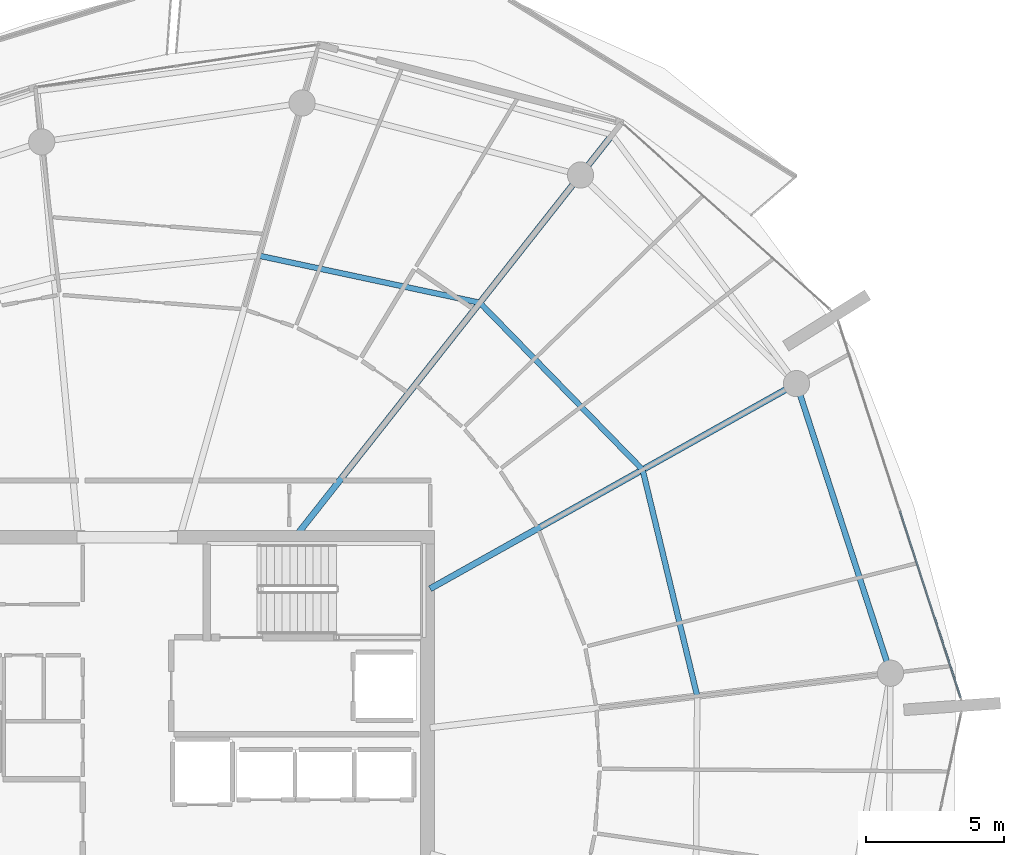
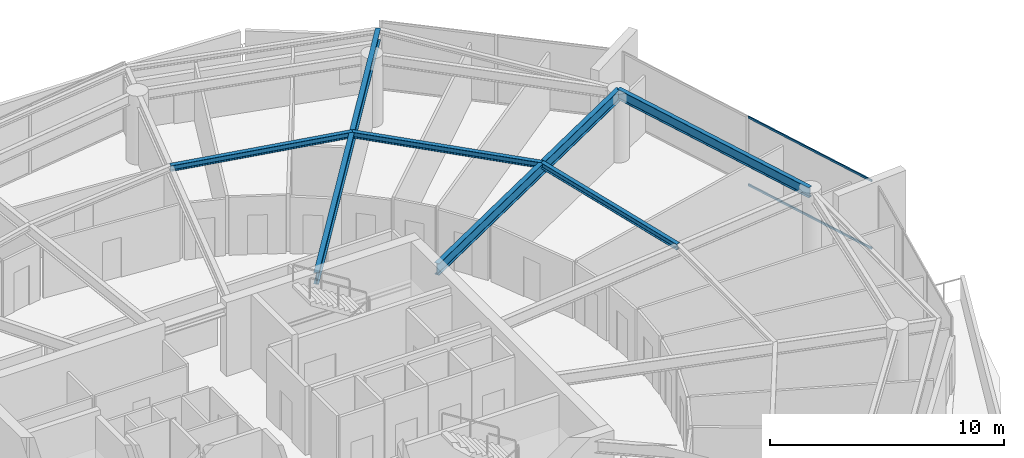
# One storey, part 13 of 29: 6 beams, 2 members, 1 element without a shape of its own.
"""IFC4 building model written with IfcOpenShell, lengths in metres."""

from ifc_helpers import new_model, si_unit, direction, frame, origin, origin_2d, place, context, subcontext, project, spatial, rectangle, i_section, extrude, material, layer, layer_set, material_profile, profile_set, type_object, element, aggregate, save


model = new_model("IFC4")

# Units and contexts
model_context = context("Model", 3, precision=1e-05, world=origin(), true_north=direction((0.0, 1.0)))
body_context = subcontext(model_context, "Body", "Model", "MODEL_VIEW")
ifc_project = project(units=[si_unit("LENGTHUNIT", "METRE"), si_unit("AREAUNIT", "SQUARE_METRE"), si_unit("VOLUMEUNIT", "CUBIC_METRE"), si_unit("PLANEANGLEUNIT", "RADIAN"), si_unit("MASSUNIT", "GRAM", prefix="KILO")], contexts=[model_context])

# Site, building, storey
site_placement = place(None, origin())
site = spatial("IfcSite", under=ifc_project, at=site_placement, CompositionType="ELEMENT")
building_placement = place(site_placement, origin())
building = spatial("IfcBuilding", under=site, at=building_placement, Name="Kazma Halo Residences", CompositionType="ELEMENT")
storey_placement = place(building_placement, frame((0.0, 0.0, 286.75)))
storey = spatial("IfcBuildingStorey", under=building, at=storey_placement, Name="L72", CompositionType="ELEMENT", Elevation=286.75)

# Beams
ifc_material_1 = material(Name="Steel S355", Category="steel")
ifc_material_profile_1 = material_profile(ifc_material_1, i_section(OverallWidth=0.22802734375, OverallDepth=0.60791015625, WebThickness=0.01123046875, FlangeThickness=0.017333984375, FilletRadius=0.01806640625, at=origin_2d()), Name="W610x113")
ifc_profile_set_1 = profile_set([ifc_material_profile_1], Name="Steel S355")
beam_type_1 = type_object("IfcBeamType", Name="BM-RAD-W610", PredefinedType="BEAM", material=ifc_profile_set_1)
beam_1_placement = place(storey_placement, frame((59.39990234375, 48.38427734375, 3.285888671875), z_axis=(0.872501636424, 0.488611189432, 0.0), x_axis=(-0.488611189432, 0.872501636424, 0.0)))
element("IfcBeam", 1, at=beam_1_placement, inside=storey, type_object=beam_type_1, Name="L72 radial floor beam 01", PredefinedType="BEAM", context=body_context, shape_type="SweptSolid", body=[
    extrude(i_section(OverallWidth=0.22802734375, OverallDepth=0.60791015625, WebThickness=0.01123046875, FlangeThickness=0.017333984375, FilletRadius=0.01806640625, at=origin_2d()), origin(), (0.0, 0.0, 1.0), 15.209716796875),
])
beam_2_placement = place(storey_placement, frame((54.58251953125, 50.35009765625, 3.285888671875), z_axis=(0.619094367176, 0.785316601461, 0.0), x_axis=(-0.785316601461, 0.619094367176, 0.0)))
element("IfcBeam", 2, at=beam_2_placement, inside=storey, type_object=beam_type_1, Name="L72 radial floor beam 02", PredefinedType="BEAM", context=body_context, shape_type="SweptSolid", body=[
    extrude(i_section(OverallWidth=0.22802734375, OverallDepth=0.60791015625, WebThickness=0.01123046875, FlangeThickness=0.017333984375, FilletRadius=0.01806640625, at=origin_2d()), origin(), (0.0, 0.0, 1.0), 18.429931640625),
])
ifc_material_profile_2 = material_profile(ifc_material_1, i_section(OverallWidth=0.202880859375, OverallDepth=0.302978515625, WebThickness=0.007568359375, FlangeThickness=0.01318359375, FilletRadius=0.013916015625, at=origin_2d()), Name="W310x60")
ifc_profile_set_2 = profile_set([ifc_material_profile_2], Name="Steel S355")
beam_type_2 = type_object("IfcBeamType", Name="BM-SEC-W310A", PredefinedType="JOIST", material=ifc_profile_set_2)
beam_3_placement = place(storey_placement, frame((67.0966796875, 52.694580078125, 3.4384765625), z_axis=(-0.697959749995, 0.716136989261, 0.0), x_axis=(-0.716136989261, -0.697959749995, 0.0)))
element("IfcBeam", 3, at=beam_3_placement, inside=storey, type_object=beam_type_2, Name="L72 circumferential floor joist 01", PredefinedType="JOIST", context=body_context, shape_type="SweptSolid", body=[
    extrude(i_section(OverallWidth=0.202880859375, OverallDepth=0.302978515625, WebThickness=0.007568359375, FlangeThickness=0.01318359375, FilletRadius=0.013916015625, at=origin_2d()), origin(), (0.0, 0.0, 1.0), 8.4482421875),
])
beam_4_placement = place(storey_placement, frame((61.2001953125, 58.74462890625, 3.4384765625), z_axis=(-0.97806685939, 0.208291186956, 0.0), x_axis=(-0.208291186956, -0.97806685939, 0.0)))
element("IfcBeam", 4, at=beam_4_placement, inside=storey, type_object=beam_type_2, Name="L72 circumferential floor joist 02", PredefinedType="JOIST", context=body_context, shape_type="SweptSolid", body=[
    extrude(i_section(OverallWidth=0.202880859375, OverallDepth=0.302978515625, WebThickness=0.007568359375, FlangeThickness=0.01318359375, FilletRadius=0.013916015625, at=origin_2d()), origin(), (0.0, 0.0, 1.0), 8.1767578125),
])
beam_5_placement = place(storey_placement, frame((69.07421875, 44.494384765625, 3.4384765625), z_axis=(-0.234436822548, 0.972131357499, 0.0), x_axis=(-0.972131357499, -0.234436822548, 0.0)))
element("IfcBeam", 5, at=beam_5_placement, inside=storey, type_object=beam_type_2, Name="L72 circumferential floor joist 16", PredefinedType="JOIST", context=body_context, shape_type="SweptSolid", body=[
    extrude(i_section(OverallWidth=0.202880859375, OverallDepth=0.302978515625, WebThickness=0.007568359375, FlangeThickness=0.01318359375, FilletRadius=0.013916015625, at=origin_2d()), origin(), (0.0, 0.0, 1.0), 8.435302734375),
])
ifc_material_profile_3 = material_profile(ifc_material_1, i_section(OverallWidth=0.208984375, OverallDepth=0.532958984375, WebThickness=0.01025390625, FlangeThickness=0.015625, FilletRadius=0.01611328125, at=origin_2d()), Name="W530x92")
ifc_profile_set_3 = profile_set([ifc_material_profile_3], Name="Steel S355")
beam_type_3 = type_object("IfcBeamType", Name="BM-SPN-W530", PredefinedType="BEAM", material=ifc_profile_set_3)
beam_6_placement = place(storey_placement, frame((76.07958984375, 45.323486328125, 3.323486328125), z_axis=(-0.309015517474, 0.951056996168, 0.0), x_axis=(-0.951056996168, -0.309015517474, 0.0)))
element("IfcBeam", 6, at=beam_6_placement, inside=storey, type_object=beam_type_3, Name="L72 perimeter ring beam 16", PredefinedType="BEAM", context=body_context, shape_type="SweptSolid", body=[
    extrude(i_section(OverallWidth=0.208984375, OverallDepth=0.532958984375, WebThickness=0.01025390625, FlangeThickness=0.015625, FilletRadius=0.01611328125, at=origin_2d()), origin(), (0.0, 0.0, 1.0), 11.032470703125),
])

# Curtain wall, members
ifc_material_2 = material(Name="Aluminium AW-6063 T6 and Triple-Silver Low-E Glass", Category="aluminium")
ifc_layer = layer(ifc_material_2, 0.139892578125)
ifc_layer_set = layer_set([ifc_layer], Name="Aluminium AW-6063 T6 and Triple-Silver Low-E Glass")
curtain_wall_type = type_object("IfcCurtainWallType", Name="CW-SYS-5", PredefinedType="NOTDEFINED", material=ifc_layer_set)
curtain_wall_placement = place(storey_placement, origin())
curtain_wall = element("IfcCurtainWall", 7, at=curtain_wall_placement, inside=storey, type_object=curtain_wall_type, Name="L72 unitised curtain wall B16", PredefinedType="NOTDEFINED")
ifc_material_3 = material(Name="Aluminium AW-6063 T6", Category="aluminium")
ifc_material_profile_4 = material_profile(ifc_material_3, rectangle(XDim=0.06005859375, YDim=0.10498046875, at=origin_2d()), Name="CWT-60x105")
ifc_profile_set_4 = profile_set([ifc_material_profile_4], Name="Aluminium AW-6063 T6")
member_type = type_object("IfcMemberType", Name="CW-SYS-5-TRN", PredefinedType="USERDEFINED", material=ifc_profile_set_4)
member_1_placement = place(storey_placement, frame((78.613525390625, 44.44091796875, 0.030029296875), z_axis=(-0.308995987448, 0.951063341603, 0.0), x_axis=(-0.951063341603, -0.308995987448, 0.0)))
member_1 = element("IfcMember", 8, at=member_1_placement, type_object=member_type, Name="CWS-5 transom 1.1", ObjectType="TRANSOM", PredefinedType="USERDEFINED", context=body_context, shape_type="SweptSolid", body=[
    extrude(rectangle(XDim=0.06005859375, YDim=0.10498046875, at=origin_2d()), origin(), (0.0, 0.0, 1.0), 7.108642578125),
])
member_2_placement = place(storey_placement, frame((78.613525390625, 44.44091796875, 3.56005859375), z_axis=(-0.308995987448, 0.951063341603, 0.0), x_axis=(-0.951063341603, -0.308995987448, 0.0)))
member_2 = element("IfcMember", 9, at=member_2_placement, type_object=member_type, Name="CWS-5 transom 1.2", ObjectType="TRANSOM", PredefinedType="USERDEFINED", context=body_context, shape_type="SweptSolid", body=[
    extrude(rectangle(XDim=0.06005859375, YDim=0.10498046875, at=origin_2d()), origin(), (0.0, 0.0, 1.0), 7.108642578125),
])
aggregate(curtain_wall, [member_1, member_2])

save(model, "model.ifc")
